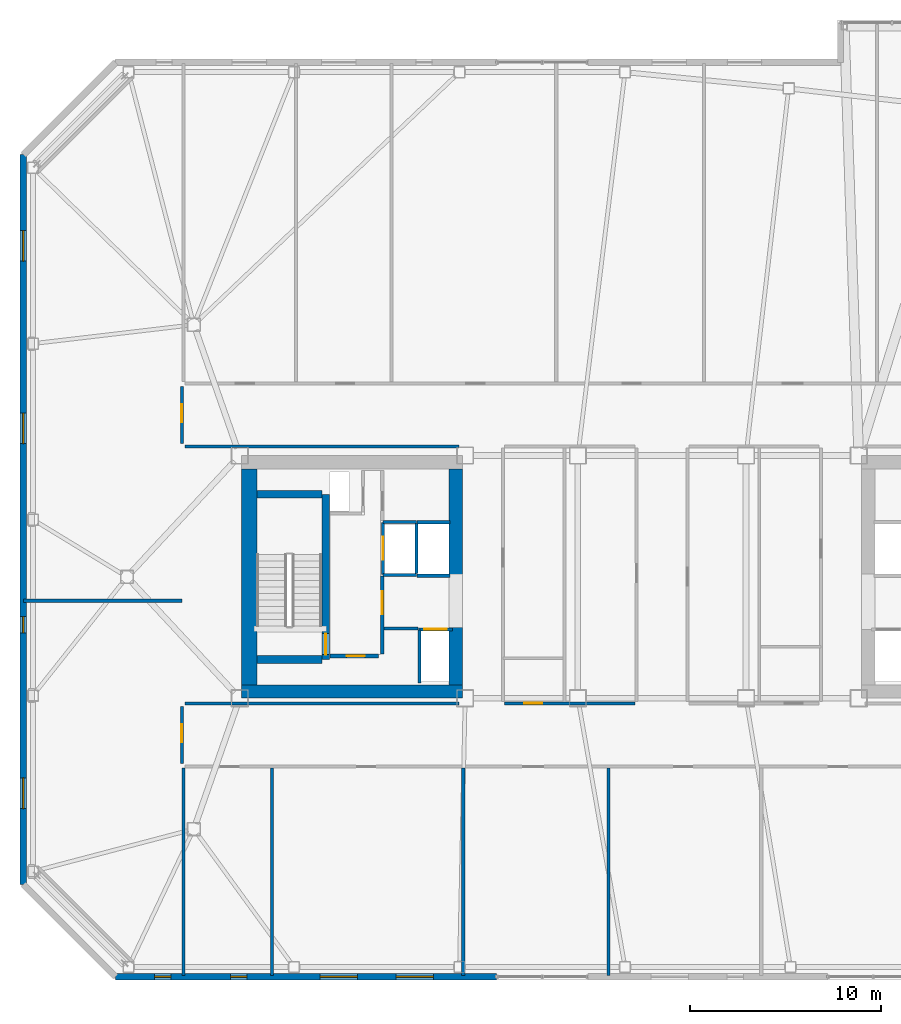
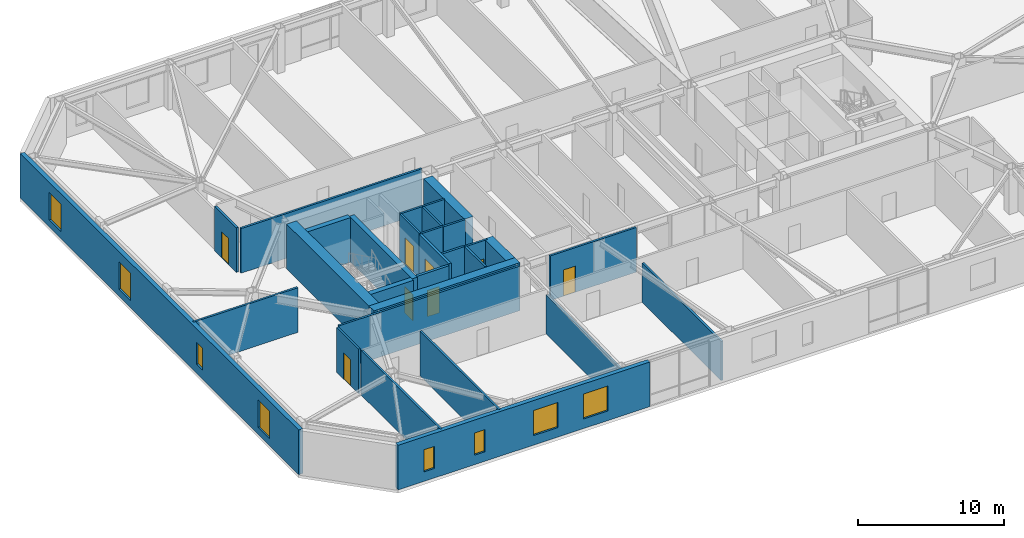
# One storey, part 12 of 20: 30 walls, 8 doors, 8 windows, 16 openings.
"""IFC4 building model written with IfcOpenShell, lengths in metres."""

from ifc_helpers import new_model, si_unit, direction, frame, frame_2d, origin, place, context, subcontext, project, spatial, rectangle, extrude, material, layer, layer_set, type_object, element, fill, save


model = new_model("IFC4")

# Units and contexts
model_context = context("Model", 3, precision=1e-05, world=origin(), true_north=direction((0.0, 1.0)))
body_context = subcontext(model_context, "Body", "Model", "MODEL_VIEW")
ifc_project = project(units=[si_unit("LENGTHUNIT", "METRE"), si_unit("AREAUNIT", "SQUARE_METRE"), si_unit("VOLUMEUNIT", "CUBIC_METRE"), si_unit("PLANEANGLEUNIT", "RADIAN"), si_unit("MASSUNIT", "GRAM", prefix="KILO")], contexts=[model_context])

# Site, building, storey
site_placement = place(None, origin())
site = spatial("IfcSite", under=ifc_project, at=site_placement, CompositionType="ELEMENT")
building_placement = place(site_placement, origin())
building = spatial("IfcBuilding", under=site, at=building_placement, Name="Tavrogorsk Clinical Tower", CompositionType="ELEMENT")
storey_placement = place(building_placement, frame((0.0, 0.0, 176.199951171875)))
storey = spatial("IfcBuildingStorey", under=building, at=storey_placement, Name="L40", CompositionType="ELEMENT", Elevation=176.199951171875)

# Wall, opening, door
ifc_material_1 = material(Name="Concrete B60", Category="concrete")
ifc_layer_1 = layer(ifc_material_1, 0.199951171875)
ifc_layer_set_1 = layer_set([ifc_layer_1], Name="Concrete B60")
wall_type_1 = type_object("IfcWallType", Name="CoreFireWall_200", PredefinedType="SOLIDWALL", material=ifc_layer_set_1)
wall_1_placement = place(storey_placement, frame((-17.3798828125, -4.139892578125, 0.0), z_axis=(0.0, 0.0, 1.0), x_axis=(1.0, 0.0, 0.0)))
wall_1 = element("IfcWall", 1, at=wall_1_placement, inside=storey, type_object=wall_type_1, Name="L40 Core West South Core Room Fire Wall", PredefinedType="SOLIDWALL", context=body_context, shape_type="SweptSolid", body=[
    extrude(rectangle(XDim=2.554931640625, YDim=0.199951171875, at=frame_2d((1.27734375, 0.0))), origin(), (0.0, 0.0, 1.0), 3.739990234375),
])
opening_1_placement = place(wall_1_placement, frame((0.8798828125, 0.0, 0.0)))
opening_1 = element("IfcOpeningElement", 2, at=opening_1_placement, cuts=wall_1, Name="Opening ID-02", PredefinedType="OPENING", context=body_context, shape_type="SweptSolid", body=[
    extrude(rectangle(XDim=0.949951171875, YDim=2.199951171875, at=frame_2d((0.47509765625, 1.10009765625))), frame((0.0, 0.10986328125, 0.0), z_axis=(0.0, -1.0, 0.0), x_axis=(1.0, 0.0, 0.0)), (0.0, 0.0, 1.0), 0.219970703125),
])
ifc_material_2 = material(Name="Laminated timber leaf on aluminium frame", Category="wood")
door_type_1 = type_object("IfcDoorType", Name="InteriorDoor_ID02_950", OperationType="NOTDEFINED", PredefinedType="DOOR", material=ifc_material_2)
door_1_placement = place(opening_1_placement, origin())
door_1 = element("IfcDoor", 3, at=door_1_placement, inside=storey, type_object=door_type_1, Name="L40 Core West South Core Room Door", OperationType="SINGLE_SWING_RIGHT", OverallHeight=2.199951171875, OverallWidth=0.949951171875, PredefinedType="DOOR", context=body_context, shape_type="SweptSolid", body=[
    extrude(rectangle(XDim=0.949951171875, YDim=2.199951171875, at=frame_2d((0.47509765625, 1.10009765625))), frame((0.0, 0.02490234375, 0.0), z_axis=(0.0, -1.0, 0.0), x_axis=(1.0, 0.0, 0.0)), (0.0, 0.0, 1.0), 0.050048828125),
])
fill(opening_1, door_1)

wall_2_placement = place(storey_placement, frame((-14.639892578125, -4.034912109375, 0.0), z_axis=(0.0, 0.0, 1.0), x_axis=(0.0, 1.0, 0.0)))
wall_2 = element("IfcWall", 4, at=wall_2_placement, inside=storey, type_object=wall_type_1, Name="L40 Core West Firefighting Lobby Fire Wall", PredefinedType="SOLIDWALL", context=body_context, shape_type="SweptSolid", body=[
    extrude(rectangle(XDim=4.074951171875, YDim=0.199951171875, at=frame_2d((2.03759765625, 0.0))), origin(), (0.0, 0.0, 1.0), 3.739990234375),
])
opening_2_placement = place(wall_2_placement, frame((2.090087890625, 0.0, 0.0)))
opening_2 = element("IfcOpeningElement", 5, at=opening_2_placement, cuts=wall_2, Name="Opening FD-01", PredefinedType="OPENING", context=body_context, shape_type="SweptSolid", body=[
    extrude(rectangle(XDim=1.199951171875, YDim=2.199951171875, at=frame_2d((0.60009765625, 1.10009765625))), frame((0.0, 0.10986328125, 0.0), z_axis=(0.0, -1.0, 0.0), x_axis=(1.0, 0.0, 0.0)), (0.0, 0.0, 1.0), 0.219970703125),
])
ifc_material_3 = material(Name="Galvanised steel fire-rated door assembly", Category="steel")
door_type_2 = type_object("IfcDoorType", Name="FireDoor_FD01_1200", OperationType="NOTDEFINED", PredefinedType="DOOR", material=ifc_material_3)
door_2_placement = place(opening_2_placement, origin())
door_2 = element("IfcDoor", 6, at=door_2_placement, inside=storey, type_object=door_type_2, Name="L40 Core West Firefighting Lobby Entry Door", OperationType="SINGLE_SWING_RIGHT", OverallHeight=2.199951171875, OverallWidth=1.199951171875, PredefinedType="DOOR", context=body_context, shape_type="SweptSolid", body=[
    extrude(rectangle(XDim=1.199951171875, YDim=2.199951171875, at=frame_2d((0.60009765625, 1.10009765625))), frame((0.0, 0.02490234375, 0.0), z_axis=(0.0, -1.0, 0.0), x_axis=(1.0, 0.0, 0.0)), (0.0, 0.0, 1.0), 0.050048828125),
])
fill(opening_2, door_2)

# Wall
ifc_material_4 = material(Name="Lightweight concrete blockwork B15", Category="masonry")
ifc_layer_2 = layer(ifc_material_4, 0.159912109375)
ifc_layer_set_2 = layer_set([ifc_layer_2], Name="Lightweight concrete blockwork B15")
wall_type_2 = type_object("IfcWallType", Name="PartitionWall_160", PredefinedType="PARTITIONING", material=ifc_layer_set_2)
wall_3_placement = place(storey_placement, frame((-14.534912109375, -2.699951171875, 0.0), z_axis=(0.0, 0.0, 1.0), x_axis=(1.0, 0.0, 0.0)))
element("IfcWall", 7, at=wall_3_placement, inside=storey, type_object=wall_type_2, Name="L40 Core West Freed Low-Bank North Partition", PredefinedType="PARTITIONING", context=body_context, shape_type="SweptSolid", body=[
    extrude(rectangle(XDim=1.760009765625, YDim=0.159912109375, at=frame_2d((0.8798828125, 0.0))), origin(), (0.0, 0.0, 1.0), 3.739990234375),
])

# Wall, opening, door
wall_4_placement = place(storey_placement, frame((-25.1298828125, -9.764892578125, 0.0), z_axis=(0.0, 0.0, 1.0), x_axis=(0.0, 1.0, 0.0)))
wall_4 = element("IfcWall", 8, at=wall_4_placement, inside=storey, type_object=wall_type_2, Name="L40 Corridor Partition 01", PredefinedType="PARTITIONING", context=body_context, shape_type="SweptSolid", body=[
    extrude(rectangle(XDim=2.97998046875, YDim=0.159912109375, at=frame_2d((1.489990234375, 0.0))), origin(), (0.0, 0.0, 1.0), 3.739990234375),
])
opening_3_placement = place(wall_4_placement, frame((1.10009765625, 0.0, 0.0)))
opening_3 = element("IfcOpeningElement", 9, at=opening_3_placement, cuts=wall_4, Name="Opening ID-02", PredefinedType="OPENING", context=body_context, shape_type="SweptSolid", body=[
    extrude(rectangle(XDim=0.949951171875, YDim=2.199951171875, at=frame_2d((0.47509765625, 1.10009765625))), frame((0.0, 0.08984375, 0.0), z_axis=(0.0, -1.0, 0.0), x_axis=(1.0, 0.0, 0.0)), (0.0, 0.0, 1.0), 0.179931640625),
])
door_3_placement = place(opening_3_placement, origin())
door_3 = element("IfcDoor", 10, at=door_3_placement, inside=storey, type_object=door_type_1, Name="L40 W Solarium Day Room & Lounge 1 Door", OperationType="SINGLE_SWING_LEFT", OverallHeight=2.199951171875, OverallWidth=0.949951171875, PredefinedType="DOOR", context=body_context, shape_type="SweptSolid", body=[
    extrude(rectangle(XDim=0.949951171875, YDim=2.199951171875, at=frame_2d((0.47509765625, 1.10009765625))), frame((0.0, 0.02490234375, 0.0), z_axis=(0.0, -1.0, 0.0), x_axis=(1.0, 0.0, 0.0)), (0.0, 0.0, 1.0), 0.050048828125),
])
fill(opening_3, door_3)

# Walls
for number, where, z_axis, x_axis, name in (
    (11, (-24.965087890625, -6.6201171875, 0.0), (0.0, 0.0, 1.0), (1.0, 0.0, 0.0), "L40 Corridor Partition 02"),
    (12, (-10.6298828125, 6.820068359375, 0.0), (0.0, 0.0, 1.0), (-1.0, 0.0, 0.0), "L40 Corridor Partition 03"),
):
    element("IfcWall", number, at=place(storey_placement, frame(where, z_axis=z_axis, x_axis=x_axis)), inside=storey, type_object=wall_type_2, Name=name, PredefinedType="PARTITIONING", context=body_context, shape_type="SweptSolid", body=[
        extrude(rectangle(XDim=14.335205078125, YDim=0.159912109375, at=frame_2d((7.16748046875, 0.0))), origin(), (0.0, 0.0, 1.0), 3.739990234375),
    ])

# Wall, opening, door
wall_5_placement = place(storey_placement, frame((-25.1298828125, 6.985107421875, 0.0), z_axis=(0.0, 0.0, 1.0), x_axis=(0.0, 1.0, 0.0)))
wall_5 = element("IfcWall", 13, at=wall_5_placement, inside=storey, type_object=wall_type_2, Name="L40 Corridor Partition 04", PredefinedType="PARTITIONING", context=body_context, shape_type="SweptSolid", body=[
    extrude(rectangle(XDim=2.97998046875, YDim=0.159912109375, at=frame_2d((1.489990234375, 0.0))), origin(), (0.0, 0.0, 1.0), 3.739990234375),
])
opening_4_placement = place(wall_5_placement, frame((1.10009765625, 0.0, 0.0)))
opening_4 = element("IfcOpeningElement", 14, at=opening_4_placement, cuts=wall_5, Name="Opening ID-02", PredefinedType="OPENING", context=body_context, shape_type="SweptSolid", body=[
    extrude(rectangle(XDim=0.949951171875, YDim=2.199951171875, at=frame_2d((0.47509765625, 1.10009765625))), frame((0.0, 0.08984375, 0.0), z_axis=(0.0, -1.0, 0.0), x_axis=(1.0, 0.0, 0.0)), (0.0, 0.0, 1.0), 0.179931640625),
])
door_4_placement = place(opening_4_placement, origin())
door_4 = element("IfcDoor", 15, at=door_4_placement, inside=storey, type_object=door_type_1, Name="L40 W Rehabilitation Therapy Suite 2 Door", OperationType="SINGLE_SWING_RIGHT", OverallHeight=2.199951171875, OverallWidth=0.949951171875, PredefinedType="DOOR", context=body_context, shape_type="SweptSolid", body=[
    extrude(rectangle(XDim=0.949951171875, YDim=2.199951171875, at=frame_2d((0.47509765625, 1.10009765625))), frame((0.0, 0.02490234375, 0.0), z_axis=(0.0, -1.0, 0.0), x_axis=(1.0, 0.0, 0.0)), (0.0, 0.0, 1.0), 0.050048828125),
])
fill(opening_4, door_4)

wall_6_placement = place(storey_placement, frame((-8.235107421875, -6.6201171875, 0.0), z_axis=(0.0, 0.0, 1.0), x_axis=(1.0, 0.0, 0.0)))
wall_6 = element("IfcWall", 16, at=wall_6_placement, inside=storey, type_object=wall_type_2, Name="L40 Corridor Partition 18", PredefinedType="PARTITIONING", context=body_context, shape_type="SweptSolid", body=[
    extrude(rectangle(XDim=6.820068359375, YDim=0.159912109375, at=frame_2d((3.41015625, 0.0))), origin(), (0.0, 0.0, 1.0), 3.739990234375),
])
opening_5_placement = place(wall_6_placement, frame((1.029052734375, 0.0, 0.0)))
opening_5 = element("IfcOpeningElement", 17, at=opening_5_placement, cuts=wall_6, Name="Opening ID-02", PredefinedType="OPENING", context=body_context, shape_type="SweptSolid", body=[
    extrude(rectangle(XDim=0.949951171875, YDim=2.199951171875, at=frame_2d((0.47509765625, 1.10009765625))), frame((0.0, 0.08984375, 0.0), z_axis=(0.0, -1.0, 0.0), x_axis=(1.0, 0.0, 0.0)), (0.0, 0.0, 1.0), 0.179931640625),
])
door_5_placement = place(opening_5_placement, origin())
door_5 = element("IfcDoor", 18, at=door_5_placement, inside=storey, type_object=door_type_1, Name="L40 Accessible Patient Lavatory Door", OperationType="SINGLE_SWING_LEFT", OverallHeight=2.199951171875, OverallWidth=0.949951171875, PredefinedType="DOOR", context=body_context, shape_type="SweptSolid", body=[
    extrude(rectangle(XDim=0.949951171875, YDim=2.199951171875, at=frame_2d((0.47509765625, 1.10009765625))), frame((0.0, 0.02490234375, 0.0), z_axis=(0.0, -1.0, 0.0), x_axis=(1.0, 0.0, 0.0)), (0.0, 0.0, 1.0), 0.050048828125),
])
fill(opening_5, door_5)

# Walls
for number, where, z_axis, x_axis, name in (
    (19, (-25.050048828125, -20.860107421875, 0.0), (0.0, 0.0, 1.0), (0.0, 1.0, 0.0), "L40 SW Wing Closure Partition"),
    (20, (-20.39990234375, -20.860107421875, 0.0), (0.0, 0.0, 1.0), (0.0, 1.0, 0.0), "L40 South Room Partition 1"),
):
    element("IfcWall", number, at=place(storey_placement, frame(where, z_axis=z_axis, x_axis=x_axis)), inside=storey, type_object=wall_type_2, Name=name, PredefinedType="PARTITIONING", context=body_context, shape_type="SweptSolid", body=[
        extrude(rectangle(XDim=10.84521484375, YDim=0.159912109375, at=frame_2d((5.422607421875, 0.0))), origin(), (0.0, 0.0, 1.0), 3.739990234375),
    ])
for number, where, z_axis, x_axis, name in (
    (21, (-10.39990234375, -20.860107421875, 0.0), (0.0, 0.0, 1.0), (0.0, 1.0, 0.0), "L40 South Room Partition 2"),
    (22, (-2.800048828125, -20.860107421875, 0.0), (0.0, 0.0, 1.0), (0.0, 1.0, 0.0), "L40 South Room Partition 3"),
):
    element("IfcWall", number, at=place(storey_placement, frame(where, z_axis=z_axis, x_axis=x_axis)), inside=storey, type_object=wall_type_2, Name=name, PredefinedType="PARTITIONING", context=body_context, shape_type="SweptSolid", body=[
        extrude(rectangle(XDim=10.84521484375, YDim=0.159912109375, at=frame_2d((5.422607421875, 0.0))), origin(), (0.0, 0.0, 1.0), 3.28515625),
    ])
wall_7_placement = place(storey_placement, frame((-33.409912109375, -1.25, 0.0), z_axis=(0.0, 0.0, 1.0), x_axis=(1.0, 0.0, 0.0)))
element("IfcWall", 23, at=wall_7_placement, inside=storey, type_object=wall_type_2, Name="L40 W Wing Divider 1", PredefinedType="PARTITIONING", context=body_context, shape_type="SweptSolid", body=[
    extrude(rectangle(XDim=8.280029296875, YDim=0.159912109375, at=frame_2d((4.14013671875, 0.0))), origin(), (0.0, 0.0, 1.0), 3.739990234375),
])

# Wall, openings, windows
ifc_material_5 = material(Name="Precast concrete B45 with limestone cladding", Category="masonry")
ifc_layer_3 = layer(ifc_material_5, 0.340087890625)
ifc_layer_set_3 = layer_set([ifc_layer_3], Name="Precast concrete B45 with limestone cladding")
wall_type_3 = type_object("IfcWallType", Name="PrecastLimestoneWall_340", PredefinedType="STANDARD", material=ifc_layer_set_3)
wall_8_placement = place(storey_placement, frame((-28.60009765625, -20.929931640625, 0.0), z_axis=(0.0, 0.0, 1.0), x_axis=(1.0, 0.0, 0.0)))
wall_8 = element("IfcWall", 24, at=wall_8_placement, inside=storey, type_object=wall_type_3, Name="L40 S Limestone Facade Wall 1", PredefinedType="STANDARD", context=body_context, shape_type="SweptSolid", body=[
    extrude(rectangle(XDim=19.937255859375, YDim=0.340087890625, at=frame_2d((9.96875, 0.0))), origin(), (0.0, 0.0, 1.0), 3.739990234375),
])
opening_6_placement = place(wall_8_placement, frame((2.0439453125, 0.0, 0.800048828125)))
opening_6 = element("IfcOpeningElement", 25, at=opening_6_placement, cuts=wall_8, Name="Opening WN-06", PredefinedType="OPENING", context=body_context, shape_type="SweptSolid", body=[
    extrude(rectangle(XDim=0.85009765625, YDim=1.85009765625, at=frame_2d((0.425048828125, 0.925048828125))), frame((0.0, 0.179931640625, 0.0), z_axis=(0.0, -1.0, 0.0), x_axis=(1.0, 0.0, 0.0)), (0.0, 0.0, 1.0), 0.360107421875),
])
opening_7_placement = place(wall_8_placement, frame((6.02880859375, 0.0, 0.800048828125)))
opening_7 = element("IfcOpeningElement", 26, at=opening_7_placement, cuts=wall_8, Name="Opening WN-06", PredefinedType="OPENING", context=body_context, shape_type="SweptSolid", body=[
    extrude(rectangle(XDim=0.85009765625, YDim=1.85009765625, at=frame_2d((0.425048828125, 0.925048828125))), frame((0.0, 0.179931640625, 0.0), z_axis=(0.0, -1.0, 0.0), x_axis=(1.0, 0.0, 0.0)), (0.0, 0.0, 1.0), 0.360107421875),
])
opening_8_placement = place(wall_8_placement, frame((10.706787109375, 0.0, 0.800048828125)))
opening_8 = element("IfcOpeningElement", 27, at=opening_8_placement, cuts=wall_8, Name="Opening WN-13", PredefinedType="OPENING", context=body_context, shape_type="SweptSolid", body=[
    extrude(rectangle(XDim=1.949951171875, YDim=2.10009765625, at=frame_2d((0.97509765625, 1.050048828125))), frame((0.0, 0.179931640625, 0.0), z_axis=(0.0, -1.0, 0.0), x_axis=(1.0, 0.0, 0.0)), (0.0, 0.0, 1.0), 0.360107421875),
])
opening_9_placement = place(wall_8_placement, frame((14.691650390625, 0.0, 0.800048828125)))
opening_9 = element("IfcOpeningElement", 28, at=opening_9_placement, cuts=wall_8, Name="Opening WN-13", PredefinedType="OPENING", context=body_context, shape_type="SweptSolid", body=[
    extrude(rectangle(XDim=1.949951171875, YDim=2.10009765625, at=frame_2d((0.97509765625, 1.050048828125))), frame((0.0, 0.179931640625, 0.0), z_axis=(0.0, -1.0, 0.0), x_axis=(1.0, 0.0, 0.0)), (0.0, 0.0, 1.0), 0.360107421875),
])
ifc_material_6 = material(Name="Thermally broken aluminium frame and triple IGU", Category="aluminium")
window_type_1 = type_object("IfcWindowType", Name="ExamRoomWin_1950x2100", PartitioningType="DOUBLE_PANEL_VERTICAL", PredefinedType="WINDOW", material=ifc_material_6)
window_1_placement = place(opening_8_placement, origin())
window_1 = element("IfcWindow", 29, at=window_1_placement, inside=storey, type_object=window_type_1, Name="L40 S Chicago Window 03", OverallHeight=2.10009765625, OverallWidth=1.949951171875, PartitioningType="SINGLE_PANEL", PredefinedType="WINDOW", context=body_context, shape_type="SweptSolid", body=[
    extrude(rectangle(XDim=1.949951171875, YDim=2.10009765625, at=frame_2d((0.97509765625, 1.050048828125))), frame((0.0, 0.030029296875, 0.0), z_axis=(0.0, -1.0, 0.0), x_axis=(1.0, 0.0, 0.0)), (0.0, 0.0, 1.0), 0.06005859375),
])
fill(opening_8, window_1)
window_2_placement = place(opening_9_placement, origin())
window_2 = element("IfcWindow", 30, at=window_2_placement, inside=storey, type_object=window_type_1, Name="L40 S Chicago Window 04", OverallHeight=2.10009765625, OverallWidth=1.949951171875, PartitioningType="SINGLE_PANEL", PredefinedType="WINDOW", context=body_context, shape_type="SweptSolid", body=[
    extrude(rectangle(XDim=1.949951171875, YDim=2.10009765625, at=frame_2d((0.97509765625, 1.050048828125))), frame((0.0, 0.030029296875, 0.0), z_axis=(0.0, -1.0, 0.0), x_axis=(1.0, 0.0, 0.0)), (0.0, 0.0, 1.0), 0.06005859375),
])
fill(opening_9, window_2)
ifc_material_7 = material(Name="Thermally broken aluminium frame and triple IGU", Category="aluminium")
window_type_2 = type_object("IfcWindowType", Name="MullionSubWin_850x1850", PartitioningType="SINGLE_PANEL", PredefinedType="WINDOW", material=ifc_material_7)
window_3_placement = place(opening_6_placement, origin())
window_3 = element("IfcWindow", 31, at=window_3_placement, inside=storey, type_object=window_type_2, Name="L40 S Mullion Split Window 01A", OverallHeight=1.85009765625, OverallWidth=0.85009765625, PartitioningType="SINGLE_PANEL", PredefinedType="WINDOW", context=body_context, shape_type="SweptSolid", body=[
    extrude(rectangle(XDim=0.85009765625, YDim=1.85009765625, at=frame_2d((0.425048828125, 0.925048828125))), frame((0.0, 0.030029296875, 0.0), z_axis=(0.0, -1.0, 0.0), x_axis=(1.0, 0.0, 0.0)), (0.0, 0.0, 1.0), 0.06005859375),
])
fill(opening_6, window_3)
window_4_placement = place(opening_7_placement, origin())
window_4 = element("IfcWindow", 32, at=window_4_placement, inside=storey, type_object=window_type_2, Name="L40 S Mullion Split Window 02A", OverallHeight=1.85009765625, OverallWidth=0.85009765625, PartitioningType="SINGLE_PANEL", PredefinedType="WINDOW", context=body_context, shape_type="SweptSolid", body=[
    extrude(rectangle(XDim=0.85009765625, YDim=1.85009765625, at=frame_2d((0.425048828125, 0.925048828125))), frame((0.0, 0.030029296875, 0.0), z_axis=(0.0, -1.0, 0.0), x_axis=(1.0, 0.0, 0.0)), (0.0, 0.0, 1.0), 0.06005859375),
])
fill(opening_7, window_4)

wall_9_placement = place(storey_placement, frame((-33.429931640625, 22.10009765625, 0.0), z_axis=(0.0, 0.0, 1.0), x_axis=(0.0, -1.0, 0.0)))
wall_9 = element("IfcWall", 33, at=wall_9_placement, inside=storey, type_object=wall_type_3, Name="L40 W Pleated Limestone Wing Wall", PredefinedType="STANDARD", context=body_context, shape_type="SweptSolid", body=[
    extrude(rectangle(XDim=38.2001953125, YDim=0.340087890625, at=frame_2d((19.10009765625, 0.0))), origin(), (0.0, 0.0, 1.0), 3.739990234375),
])
opening_10_placement = place(wall_9_placement, frame((3.97509765625, 0.0, 0.580078125)))
opening_10 = element("IfcOpeningElement", 34, at=opening_10_placement, cuts=wall_9, Name="Opening WN-07", PredefinedType="OPENING", context=body_context, shape_type="SweptSolid", body=[
    extrude(rectangle(XDim=1.60009765625, YDim=2.300048828125, at=frame_2d((0.800048828125, 1.14990234375))), frame((0.0, 0.179931640625, 0.0), z_axis=(0.0, -1.0, 0.0), x_axis=(1.0, 0.0, 0.0)), (0.0, 0.0, 1.0), 0.360107421875),
])
opening_11_placement = place(wall_9_placement, frame((13.52490234375, 0.0, 0.580078125)))
opening_11 = element("IfcOpeningElement", 35, at=opening_11_placement, cuts=wall_9, Name="Opening WN-07", PredefinedType="OPENING", context=body_context, shape_type="SweptSolid", body=[
    extrude(rectangle(XDim=1.60009765625, YDim=2.300048828125, at=frame_2d((0.800048828125, 1.14990234375))), frame((0.0, 0.179931640625, 0.0), z_axis=(0.0, -1.0, 0.0), x_axis=(1.0, 0.0, 0.0)), (0.0, 0.0, 1.0), 0.360107421875),
])
opening_12_placement = place(wall_9_placement, frame((24.175048828125, 0.0, 0.75)))
opening_12 = element("IfcOpeningElement", 36, at=opening_12_placement, cuts=wall_9, Name="Opening WN-06", PredefinedType="OPENING", context=body_context, shape_type="SweptSolid", body=[
    extrude(rectangle(XDim=0.85009765625, YDim=1.85009765625, at=frame_2d((0.425048828125, 0.925048828125))), frame((0.0, 0.179931640625, 0.0), z_axis=(0.0, -1.0, 0.0), x_axis=(1.0, 0.0, 0.0)), (0.0, 0.0, 1.0), 0.360107421875),
])
opening_13_placement = place(wall_9_placement, frame((32.625, 0.0, 0.580078125)))
opening_13 = element("IfcOpeningElement", 37, at=opening_13_placement, cuts=wall_9, Name="Opening WN-07", PredefinedType="OPENING", context=body_context, shape_type="SweptSolid", body=[
    extrude(rectangle(XDim=1.60009765625, YDim=2.300048828125, at=frame_2d((0.800048828125, 1.14990234375))), frame((0.0, 0.179931640625, 0.0), z_axis=(0.0, -1.0, 0.0), x_axis=(1.0, 0.0, 0.0)), (0.0, 0.0, 1.0), 0.360107421875),
])
window_5_placement = place(opening_12_placement, origin())
window_5 = element("IfcWindow", 38, at=window_5_placement, inside=storey, type_object=window_type_2, Name="L40 W Pleat Mullion Window 3B", OverallHeight=1.85009765625, OverallWidth=0.85009765625, PartitioningType="SINGLE_PANEL", PredefinedType="WINDOW", context=body_context, shape_type="SweptSolid", body=[
    extrude(rectangle(XDim=0.85009765625, YDim=1.85009765625, at=frame_2d((0.425048828125, 0.925048828125))), frame((0.0, 0.030029296875, 0.0), z_axis=(0.0, -1.0, 0.0), x_axis=(1.0, 0.0, 0.0)), (0.0, 0.0, 1.0), 0.06005859375),
])
fill(opening_12, window_5)
ifc_material_8 = material(Name="Thermally broken aluminium frame and triple IGU", Category="aluminium")
window_type_3 = type_object("IfcWindowType", Name="PleatSlotWin_1600x2300", PartitioningType="SINGLE_PANEL", PredefinedType="WINDOW", material=ifc_material_8)
window_6_placement = place(opening_10_placement, origin())
window_6 = element("IfcWindow", 39, at=window_6_placement, inside=storey, type_object=window_type_3, Name="L40 W Pleat Slot Window 1", OverallHeight=2.300048828125, OverallWidth=1.60009765625, PartitioningType="SINGLE_PANEL", PredefinedType="WINDOW", context=body_context, shape_type="SweptSolid", body=[
    extrude(rectangle(XDim=1.60009765625, YDim=2.300048828125, at=frame_2d((0.800048828125, 1.14990234375))), frame((0.0, 0.030029296875, 0.0), z_axis=(0.0, -1.0, 0.0), x_axis=(1.0, 0.0, 0.0)), (0.0, 0.0, 1.0), 0.06005859375),
])
fill(opening_10, window_6)
window_7_placement = place(opening_11_placement, origin())
window_7 = element("IfcWindow", 40, at=window_7_placement, inside=storey, type_object=window_type_3, Name="L40 W Pleat Slot Window 2", OverallHeight=2.300048828125, OverallWidth=1.60009765625, PartitioningType="SINGLE_PANEL", PredefinedType="WINDOW", context=body_context, shape_type="SweptSolid", body=[
    extrude(rectangle(XDim=1.60009765625, YDim=2.300048828125, at=frame_2d((0.800048828125, 1.14990234375))), frame((0.0, 0.030029296875, 0.0), z_axis=(0.0, -1.0, 0.0), x_axis=(1.0, 0.0, 0.0)), (0.0, 0.0, 1.0), 0.06005859375),
])
fill(opening_11, window_7)
window_8_placement = place(opening_13_placement, origin())
window_8 = element("IfcWindow", 41, at=window_8_placement, inside=storey, type_object=window_type_3, Name="L40 W Pleat Slot Window 4", OverallHeight=2.300048828125, OverallWidth=1.60009765625, PartitioningType="SINGLE_PANEL", PredefinedType="WINDOW", context=body_context, shape_type="SweptSolid", body=[
    extrude(rectangle(XDim=1.60009765625, YDim=2.300048828125, at=frame_2d((0.800048828125, 1.14990234375))), frame((0.0, 0.030029296875, 0.0), z_axis=(0.0, -1.0, 0.0), x_axis=(1.0, 0.0, 0.0)), (0.0, 0.0, 1.0), 0.06005859375),
])
fill(opening_13, window_8)

# Wall, opening, door
ifc_material_9 = material(Name="Lightweight concrete blockwork B25", Category="masonry")
ifc_layer_4 = layer(ifc_material_9, 0.159912109375)
ifc_layer_set_4 = layer_set([ifc_layer_4], Name="Lightweight concrete blockwork B25")
wall_type_4 = type_object("IfcWallType", Name="ShaftWall_160", PredefinedType="PARTITIONING", material=ifc_layer_set_4)
wall_10_placement = place(storey_placement, frame((-14.60009765625, 0.1201171875, 0.0), z_axis=(0.0, 0.0, 1.0), x_axis=(0.0, 1.0, 0.0)))
wall_10 = element("IfcWall", 42, at=wall_10_placement, inside=storey, type_object=wall_type_4, Name="L40 FFL-W Firefighting Lift Front Wall", PredefinedType="PARTITIONING", context=body_context, shape_type="SweptSolid", body=[
    extrude(rectangle(XDim=2.739990234375, YDim=0.159912109375, at=frame_2d((1.3701171875, 0.0))), origin(), (0.0, 0.0, 1.0), 3.739990234375),
])
opening_14_placement = place(wall_10_placement, frame((0.77001953125, 0.0, 0.0)))
opening_14 = element("IfcOpeningElement", 43, at=opening_14_placement, cuts=wall_10, Name="Opening LD", PredefinedType="OPENING", context=body_context, shape_type="SweptSolid", body=[
    extrude(rectangle(XDim=1.199951171875, YDim=2.199951171875, at=frame_2d((0.60009765625, 1.10009765625))), frame((0.0, 0.08984375, 0.0), z_axis=(0.0, -1.0, 0.0), x_axis=(1.0, 0.0, 0.0)), (0.0, 0.0, 1.0), 0.179931640625),
])
ifc_material_10 = material(Name="Brushed stainless steel AISI 304 sliding doors", Category="steel")
door_type_3 = type_object("IfcDoorType", Name="LiftLandingDoor_LD_1200", OperationType="SLIDING_TO_LEFT", PredefinedType="DOOR", material=ifc_material_10)
door_6_placement = place(opening_14_placement, origin())
door_6 = element("IfcDoor", 44, at=door_6_placement, inside=storey, type_object=door_type_3, Name="L40 FFL-W Sliding Lift Landing Door", OperationType="SLIDING_TO_LEFT", OverallHeight=2.199951171875, OverallWidth=1.199951171875, PredefinedType="DOOR", context=body_context, shape_type="SweptSolid", body=[
    extrude(rectangle(XDim=1.199951171875, YDim=2.199951171875, at=frame_2d((0.60009765625, 1.10009765625))), frame((0.0, 0.02490234375, 0.0), z_axis=(0.0, -1.0, 0.0), x_axis=(1.0, 0.0, 0.0)), (0.0, 0.0, 1.0), 0.050048828125),
])
fill(opening_14, door_6)

# Walls
for number, where, z_axis, x_axis, name in (
    (45, (-14.60009765625, 0.10009765625, 0.0), (0.0, 0.0, 1.0), (1.0, 0.0, 0.0), "L40 FFL-W Shaft South Wall"),
    (46, (-14.60009765625, 2.8798828125, 0.0), (0.0, 0.0, 1.0), (1.0, 0.0, 0.0), "L40 FFL-W Shaft North Wall"),
):
    element("IfcWall", number, at=place(storey_placement, frame(where, z_axis=z_axis, x_axis=x_axis)), inside=storey, type_object=wall_type_4, Name=name, PredefinedType="PARTITIONING", context=body_context, shape_type="SweptSolid", body=[
        extrude(rectangle(XDim=1.760009765625, YDim=0.159912109375, at=frame_2d((0.8798828125, 0.0))), origin(), (0.0, 0.0, 1.0), 3.739990234375),
    ])
wall_11_placement = place(storey_placement, frame((-12.840087890625, 0.179931640625, 0.0), z_axis=(0.0, 0.0, 1.0), x_axis=(0.0, 1.0, 0.0)))
element("IfcWall", 47, at=wall_11_placement, inside=storey, type_object=wall_type_4, Name="L40 FFL-W Shaft Back Wall", PredefinedType="PARTITIONING", context=body_context, shape_type="SweptSolid", body=[
    extrude(rectangle(XDim=2.6201171875, YDim=0.159912109375, at=frame_2d((1.31005859375, 0.0))), origin(), (0.0, 0.0, 1.0), 3.739990234375),
])

# Wall, opening, door
wall_12_placement = place(storey_placement, frame((-12.72998046875, -2.75, 0.0), z_axis=(0.0, 0.0, 1.0), x_axis=(1.0, 0.0, 0.0)))
wall_12 = element("IfcWall", 48, at=wall_12_placement, inside=storey, type_object=wall_type_4, Name="L40 LP-M1 Lift Shaft Portal Wall", PredefinedType="PARTITIONING", context=body_context, shape_type="SweptSolid", body=[
    extrude(rectangle(XDim=1.760009765625, YDim=0.159912109375, at=frame_2d((0.8798828125, 0.0))), origin(), (0.0, 0.0, 1.0), 3.739990234375),
])
opening_15_placement = place(wall_12_placement, frame((0.280029296875, 0.0, 0.0)))
opening_15 = element("IfcOpeningElement", 49, at=opening_15_placement, cuts=wall_12, Name="Opening LD", PredefinedType="OPENING", context=body_context, shape_type="SweptSolid", body=[
    extrude(rectangle(XDim=1.199951171875, YDim=2.199951171875, at=frame_2d((0.60009765625, 1.10009765625))), frame((0.0, 0.08984375, 0.0), z_axis=(0.0, -1.0, 0.0), x_axis=(1.0, 0.0, 0.0)), (0.0, 0.0, 1.0), 0.179931640625),
])
door_7_placement = place(opening_15_placement, origin())
door_7 = element("IfcDoor", 50, at=door_7_placement, inside=storey, type_object=door_type_3, Name="L40 LP-M1 Sliding Lift Landing Door", OperationType="SLIDING_TO_LEFT", OverallHeight=2.199951171875, OverallWidth=1.199951171875, PredefinedType="DOOR", context=body_context, shape_type="SweptSolid", body=[
    extrude(rectangle(XDim=1.199951171875, YDim=2.199951171875, at=frame_2d((0.60009765625, 1.10009765625))), frame((0.0, 0.02490234375, 0.0), z_axis=(0.0, -1.0, 0.0), x_axis=(1.0, 0.0, 0.0)), (0.0, 0.0, 1.0), 0.050048828125),
])
fill(opening_15, door_7)

# Walls
for number, where, z_axis, x_axis, name in (
    (51, (-12.820068359375, 0.06005859375, 0.0), (0.0, 0.0, 1.0), (1.0, 0.0, 0.0), "L40 LP-H1 High-Zone Lift Portal Wall"),
    (52, (-12.820068359375, 2.860107421875, 0.0), (0.0, 0.0, 1.0), (1.0, 0.0, 0.0), "L40 LP-H1 High-Zone Lift Rear Wall"),
):
    element("IfcWall", number, at=place(storey_placement, frame(where, z_axis=z_axis, x_axis=x_axis)), inside=storey, type_object=wall_type_4, Name=name, PredefinedType="PARTITIONING", context=body_context, shape_type="SweptSolid", body=[
        extrude(rectangle(XDim=1.719970703125, YDim=0.159912109375, at=frame_2d((0.85986328125, 0.0))), origin(), (0.0, 0.0, 1.0), 3.739990234375),
    ])
wall_13_placement = place(storey_placement, frame((-12.68994140625, -5.56005859375, 0.0), z_axis=(0.0, 0.0, 1.0), x_axis=(0.0, 1.0, 0.0)))
element("IfcWall", 53, at=wall_13_placement, inside=storey, type_object=wall_type_4, Name="L40 Core West Freed Low-Bank Shaft Divider", PredefinedType="PARTITIONING", context=body_context, shape_type="SweptSolid", body=[
    extrude(rectangle(XDim=2.775146484375, YDim=0.159912109375, at=frame_2d((1.3876953125, 0.0))), origin(), (0.0, 0.0, 1.0), 3.739990234375),
])

# Wall, opening, door
ifc_material_11 = material(Name="Concrete B80", Category="concrete")
ifc_layer_5 = layer(ifc_material_11, 0.39990234375)
ifc_layer_set_5 = layer_set([ifc_layer_5], Name="Concrete B80")
wall_type_5 = type_object("IfcWallType", Name="ShearWall_400", PredefinedType="SHEAR", material=ifc_layer_set_5)
wall_14_placement = place(storey_placement, frame((-17.60009765625, -4.324951171875, 0.0), z_axis=(0.0, 0.0, 1.0), x_axis=(0.0, 1.0, 0.0)))
wall_14 = element("IfcWall", 54, at=wall_14_placement, inside=storey, type_object=wall_type_5, Name="L40 Core West Stair Shaft Inner Shear Wall", PredefinedType="SHEAR", context=body_context, shape_type="SweptSolid", body=[
    extrude(rectangle(XDim=8.64990234375, YDim=0.39990234375, at=frame_2d((4.324951171875, 0.0))), origin(), (0.0, 0.0, 1.0), 3.739990234375),
])
opening_16_placement = place(wall_14_placement, frame((0.25, 0.0, 0.0)))
opening_16 = element("IfcOpeningElement", 55, at=opening_16_placement, cuts=wall_14, Name="Opening SD-01", PredefinedType="OPENING", context=body_context, shape_type="SweptSolid", body=[
    extrude(rectangle(XDim=1.10009765625, YDim=2.199951171875, at=frame_2d((0.550048828125, 1.10009765625))), frame((0.0, 0.2099609375, 0.0), z_axis=(0.0, -1.0, 0.0), x_axis=(1.0, 0.0, 0.0)), (0.0, 0.0, 1.0), 0.419921875),
])
ifc_material_12 = material(Name="Galvanised steel smoke-tight fire door assembly", Category="steel")
door_type_4 = type_object("IfcDoorType", Name="StairFireDoor_SD01_1100", OperationType="NOTDEFINED", PredefinedType="DOOR", material=ifc_material_12)
door_8_placement = place(opening_16_placement, origin())
door_8 = element("IfcDoor", 56, at=door_8_placement, inside=storey, type_object=door_type_4, Name="L40 ST-W Exit Stair Door", OperationType="SINGLE_SWING_LEFT", OverallHeight=2.199951171875, OverallWidth=1.10009765625, PredefinedType="DOOR", context=body_context, shape_type="SweptSolid", body=[
    extrude(rectangle(XDim=1.10009765625, YDim=2.199951171875, at=frame_2d((0.550048828125, 1.10009765625))), frame((0.0, 0.02490234375, 0.0), z_axis=(0.0, -1.0, 0.0), x_axis=(1.0, 0.0, 0.0)), (0.0, 0.0, 1.0), 0.050048828125),
])
fill(opening_16, door_8)

# Walls
for number, where, z_axis, x_axis, name in (
    (57, (-21.199951171875, -4.324951171875, 0.0), (0.0, 0.0, 1.0), (1.0, 0.0, 0.0), "L40 Core West Stair Shaft South Shear Wall"),
    (58, (-21.199951171875, 4.324951171875, 0.0), (0.0, 0.0, 1.0), (1.0, 0.0, 0.0), "L40 Core West Stair Shaft North Shear Wall"),
):
    element("IfcWall", number, at=place(storey_placement, frame(where, z_axis=z_axis, x_axis=x_axis)), inside=storey, type_object=wall_type_5, Name=name, PredefinedType="SHEAR", context=body_context, shape_type="SweptSolid", body=[
        extrude(rectangle(XDim=3.39990234375, YDim=0.39990234375, at=frame_2d((1.699951171875, 0.0))), origin(), (0.0, 0.0, 1.0), 3.739990234375),
    ])
ifc_material_13 = material(Name="Concrete B80", Category="concrete")
ifc_layer_6 = layer(ifc_material_13, 0.699951171875)
ifc_layer_set_6 = layer_set([ifc_layer_6], Name="Concrete B80")
wall_type_6 = type_object("IfcWallType", Name="ShearWall_700", PredefinedType="SHEAR", material=ifc_layer_set_6)
wall_15_placement = place(storey_placement, frame((-22.0, -6.0, 0.0), z_axis=(0.0, 0.0, 1.0), x_axis=(1.0, 0.0, 0.0)))
element("IfcWall", 59, at=wall_15_placement, inside=storey, type_object=wall_type_6, Name="L40 Core West South Shear Wall", PredefinedType="SHEAR", context=body_context, shape_type="SweptSolid", body=[
    extrude(rectangle(XDim=11.550048828125, YDim=0.699951171875, at=frame_2d((5.77490234375, 0.0))), origin(), (0.0, 0.0, 1.0), 3.739990234375),
])
wall_16_placement = place(storey_placement, frame((-10.800048828125, -5.64990234375, 0.0), z_axis=(0.0, 0.0, 1.0), x_axis=(0.0, 1.0, 0.0)))
element("IfcWall", 60, at=wall_16_placement, inside=storey, type_object=wall_type_6, Name="L40 Core West Inner South Pier", PredefinedType="SHEAR", context=body_context, shape_type="SweptSolid", body=[
    extrude(rectangle(XDim=3.0, YDim=0.699951171875, at=frame_2d((1.5, 0.0))), origin(), (0.0, 0.0, 1.0), 3.739990234375),
])
wall_17_placement = place(storey_placement, frame((-10.800048828125, 0.050048828125, 0.0), z_axis=(0.0, 0.0, 1.0), x_axis=(0.0, 1.0, 0.0)))
element("IfcWall", 61, at=wall_17_placement, inside=storey, type_object=wall_type_6, Name="L40 Core West Inner North Pier", PredefinedType="SHEAR", context=body_context, shape_type="SweptSolid", body=[
    extrude(rectangle(XDim=5.599853515625, YDim=0.699951171875, at=frame_2d((2.7998046875, 0.0))), origin(), (0.0, 0.0, 1.0), 3.739990234375),
])
ifc_material_14 = material(Name="Concrete B80", Category="concrete")
ifc_layer_7 = layer(ifc_material_14, 0.800048828125)
ifc_layer_set_7 = layer_set([ifc_layer_7], Name="Concrete B80")
wall_type_7 = type_object("IfcWallType", Name="ShearWall_800", PredefinedType="SHEAR", material=ifc_layer_set_7)
wall_18_placement = place(storey_placement, frame((-21.60009765625, -5.64990234375, 0.0), z_axis=(0.0, 0.0, 1.0), x_axis=(0.0, 1.0, 0.0)))
element("IfcWall", 62, at=wall_18_placement, inside=storey, type_object=wall_type_7, Name="L40 Core West End Shear Wall", PredefinedType="SHEAR", context=body_context, shape_type="SweptSolid", body=[
    extrude(rectangle(XDim=11.2998046875, YDim=0.800048828125, at=frame_2d((5.64990234375, 0.0))), origin(), (0.0, 0.0, 1.0), 3.739990234375),
])

save(model, "model.ifc")
